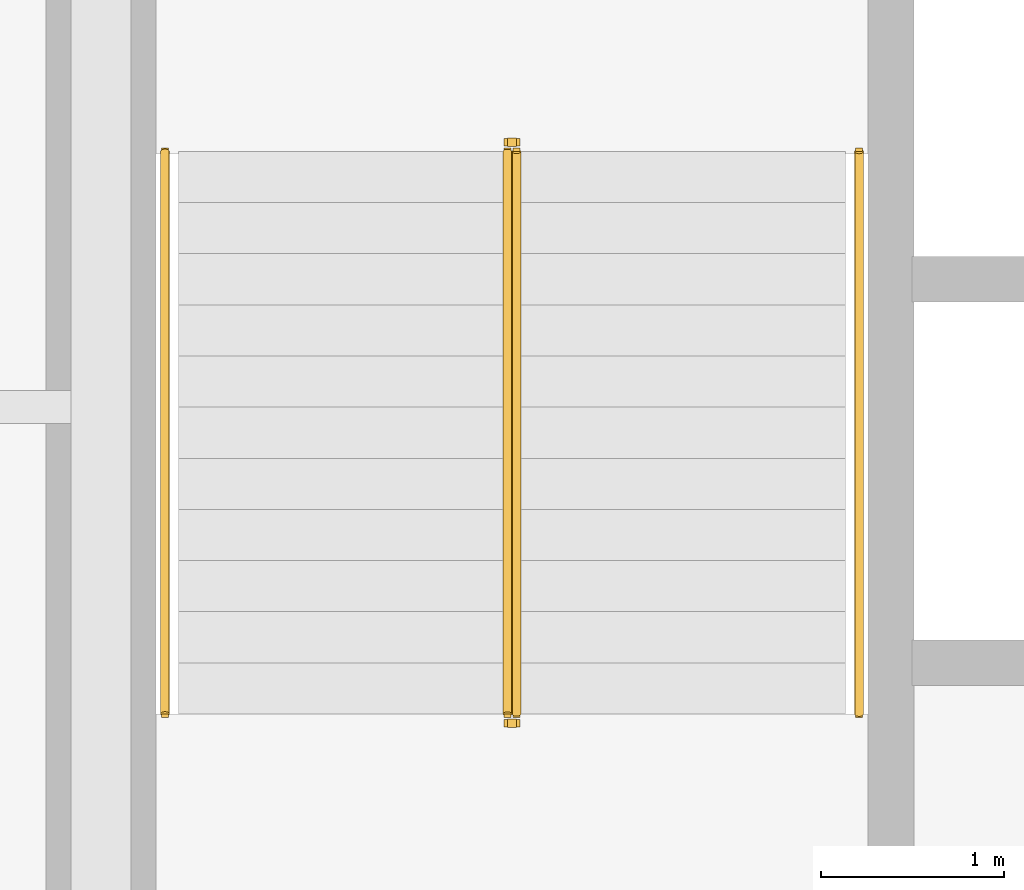
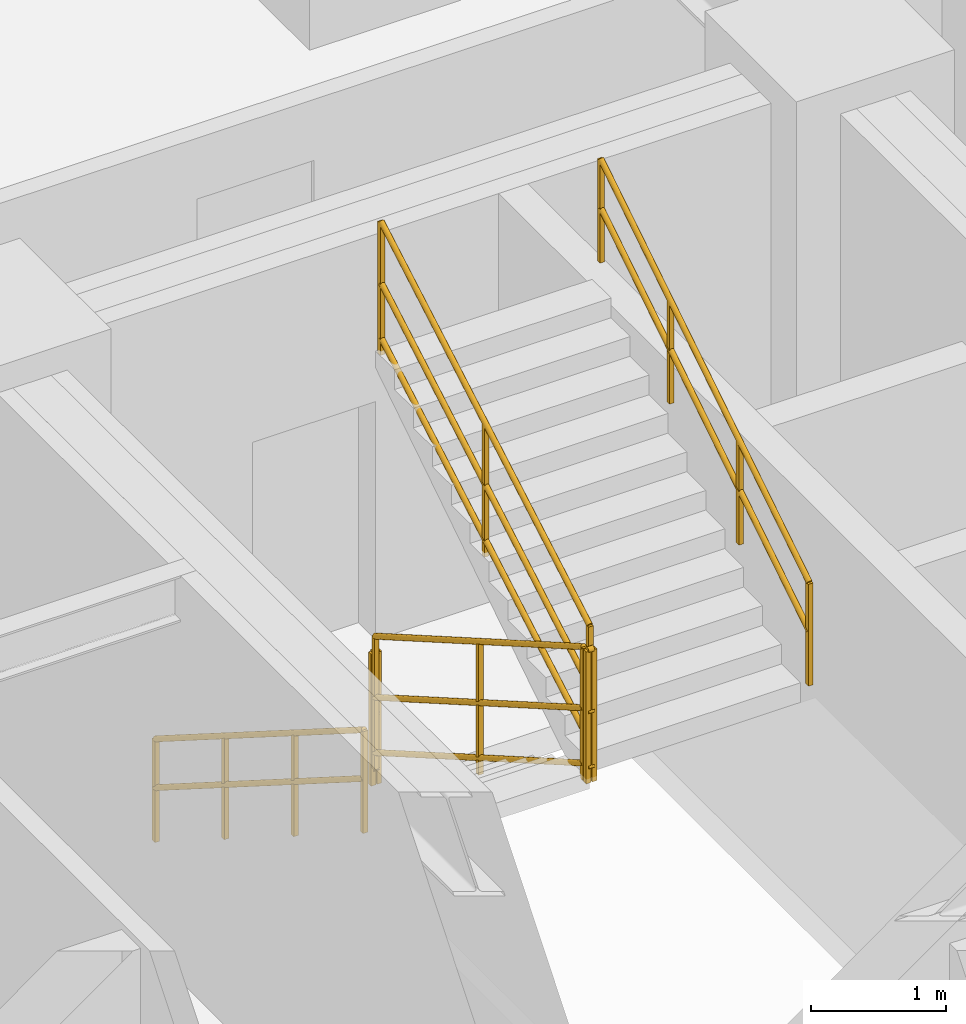
# One storey, part 9 of 9: 6 railings.
"""IFC4 building model written with IfcOpenShell, lengths in metres."""

from ifc_helpers import new_model, entity, si_unit, converted_unit, direction, frame, origin_with_axes, origin_2d_with_axis, place, context, subcontext, project, spatial, rectangle, circle, extrude, material, type_object, element, save


model = new_model("IFC4")

# Units and contexts
model_context = context("Model", 3, precision=1e-05, world=origin_with_axes(), true_north=direction((0.0, 1.0)))
body_context = subcontext(model_context, "Body", "Model", "MODEL_VIEW")
ifc_project = project(units=[si_unit("LENGTHUNIT", "METRE"), si_unit("AREAUNIT", "SQUARE_METRE"), si_unit("VOLUMEUNIT", "CUBIC_METRE"), converted_unit("PLANEANGLEUNIT", "DEGREE", entity("IfcPlaneAngleMeasure", 0.017453292519943295), si_unit("PLANEANGLEUNIT", "RADIAN"), dimensions=[0, 0, 0, 0, 0, 0, 0]), si_unit("MASSUNIT", "GRAM", prefix="KILO"), si_unit("THERMODYNAMICTEMPERATUREUNIT", "KELVIN")], contexts=[model_context])

# Site, building, storey
site_placement = place(None, origin_with_axes())
site = spatial("IfcSite", under=ifc_project, at=site_placement, CompositionType="ELEMENT")
building_placement = place(site_placement, origin_with_axes())
building = spatial("IfcBuilding", under=site, at=building_placement, Name="Varnlund Millrace Tower", CompositionType="ELEMENT")
storey_placement = place(building_placement, frame((0.0, 0.0, 32.7), z_axis=(0.0, 0.0, 1.0), x_axis=(1.0, 0.0, 0.0)))
storey = spatial("IfcBuildingStorey", under=building, at=storey_placement, Name="L07", CompositionType="ELEMENT", Elevation=32.7)

# Railings
ifc_material_1 = material(Name="Painted steel stair well balustrade guard", Category="steel")
railing_type_1 = type_object("IfcRailingType", Name="Type-StairGuard-1150", PredefinedType="GUARDRAIL", material=ifc_material_1)
railing_1_placement = place(storey_placement, frame((0.0, 0.0, -32.7), z_axis=(0.0, 0.0, 1.0), x_axis=(1.0, 0.0, 0.0)))
element("IfcRailing", 1, at=railing_1_placement, inside=storey, type_object=railing_type_1, Name="Type-StairGuard-1150", PredefinedType="GUARDRAIL", context=body_context, shape_type="SweptSolid", body=[
    extrude(circle(Radius=0.024, at=origin_2d_with_axis()), frame((13.625, 35.9, 34.027273), z_axis=(0.0, -0.866696, 0.498836), x_axis=(1.0, 0.0, 0.0)), (0.0, 0.0, 1.0), 3.553725),
    extrude(circle(Radius=0.024, at=origin_2d_with_axis()), frame((13.625, 35.9, 32.977273), z_axis=(0.0, -0.866696, 0.498836), x_axis=(1.0, 0.0, 0.0)), (0.0, 0.0, 1.0), 3.553725),
    extrude(circle(Radius=0.024, at=origin_2d_with_axis()), frame((13.625, 35.9, 33.475273), z_axis=(0.0, -0.866696, 0.498836), x_axis=(1.0, 0.0, 0.0)), (0.0, 0.0, 1.0), 3.553725),
    extrude(rectangle(XDim=0.04, YDim=0.04, at=origin_2d_with_axis()), frame((13.625, 35.9, 32.837273), z_axis=(0.0, 0.0, 1.0), x_axis=(1.0, 0.0, 0.0)), (0.0, 0.0, 1.0), 1.19),
    extrude(rectangle(XDim=0.04, YDim=0.04, at=origin_2d_with_axis()), frame((13.625, 34.36, 33.723637), z_axis=(0.0, 0.0, 1.0), x_axis=(1.0, 0.0, 0.0)), (0.0, 0.0, 1.0), 1.19),
    extrude(rectangle(XDim=0.04, YDim=0.04, at=origin_2d_with_axis()), frame((13.625, 32.82, 34.61), z_axis=(0.0, 0.0, 1.0), x_axis=(1.0, 0.0, 0.0)), (0.0, 0.0, 1.0), 1.19),
])
railing_2_placement = place(storey_placement, frame((0.0, 0.0, -32.7), z_axis=(0.0, 0.0, 1.0), x_axis=(1.0, 0.0, 0.0)))
element("IfcRailing", 2, at=railing_2_placement, inside=storey, type_object=railing_type_1, Name="Type-StairGuard-1150", PredefinedType="GUARDRAIL", context=body_context, shape_type="SweptSolid", body=[
    extrude(circle(Radius=0.024, at=origin_2d_with_axis()), frame((13.675, 32.77, 35.8), z_axis=(-1.0, 0.0, 0.0), x_axis=(0.0, -1.0, 0.0)), (0.0, 0.0, 1.0), 0.05),
    extrude(circle(Radius=0.024, at=origin_2d_with_axis()), frame((13.675, 32.77, 34.75), z_axis=(-1.0, 0.0, 0.0), x_axis=(0.0, -1.0, 0.0)), (0.0, 0.0, 1.0), 0.05),
    extrude(circle(Radius=0.024, at=origin_2d_with_axis()), frame((13.675, 32.77, 35.248), z_axis=(-1.0, 0.0, 0.0), x_axis=(0.0, -1.0, 0.0)), (0.0, 0.0, 1.0), 0.05),
    extrude(rectangle(XDim=0.04, YDim=0.04, at=origin_2d_with_axis()), frame((13.675, 32.77, 34.61), z_axis=(0.0, 0.0, 1.0), x_axis=(1.0, 0.0, 0.0)), (0.0, 0.0, 1.0), 1.19),
    extrude(rectangle(XDim=0.04, YDim=0.04, at=origin_2d_with_axis()), frame((13.625, 32.77, 34.61), z_axis=(0.0, 0.0, 1.0), x_axis=(1.0, 0.0, 0.0)), (0.0, 0.0, 1.0), 1.19),
])
railing_3_placement = place(storey_placement, frame((0.0, 0.0, -32.7), z_axis=(0.0, 0.0, 1.0), x_axis=(1.0, 0.0, 0.0)))
element("IfcRailing", 3, at=railing_3_placement, inside=storey, type_object=railing_type_1, Name="Type-StairGuard-1150", PredefinedType="GUARDRAIL", context=body_context, shape_type="SweptSolid", body=[
    extrude(circle(Radius=0.024, at=origin_2d_with_axis()), frame((13.675, 32.82, 35.977273), z_axis=(0.0, 0.866696, 0.498836), x_axis=(-1.0, 0.0, 0.0)), (0.0, 0.0, 1.0), 3.553725),
    extrude(circle(Radius=0.024, at=origin_2d_with_axis()), frame((13.675, 32.82, 34.927273), z_axis=(0.0, 0.866696, 0.498836), x_axis=(-1.0, 0.0, 0.0)), (0.0, 0.0, 1.0), 3.553725),
    extrude(circle(Radius=0.024, at=origin_2d_with_axis()), frame((13.675, 32.82, 35.425273), z_axis=(0.0, 0.866696, 0.498836), x_axis=(-1.0, 0.0, 0.0)), (0.0, 0.0, 1.0), 3.553725),
    extrude(rectangle(XDim=0.04, YDim=0.04, at=origin_2d_with_axis()), frame((13.675, 32.82, 34.787273), z_axis=(0.0, 0.0, 1.0), x_axis=(1.0, 0.0, 0.0)), (0.0, 0.0, 1.0), 1.19),
    extrude(rectangle(XDim=0.04, YDim=0.04, at=origin_2d_with_axis()), frame((13.675, 34.36, 35.673636), z_axis=(0.0, 0.0, 1.0), x_axis=(1.0, 0.0, 0.0)), (0.0, 0.0, 1.0), 1.19),
    extrude(rectangle(XDim=0.04, YDim=0.04, at=origin_2d_with_axis()), frame((13.675, 35.9, 36.56), z_axis=(0.0, 0.0, 1.0), x_axis=(1.0, 0.0, 0.0)), (0.0, 0.0, 1.0), 1.19),
])
railing_4_placement = place(storey_placement, frame((0.0, 0.0, -32.7), z_axis=(0.0, 0.0, 1.0), x_axis=(1.0, 0.0, 0.0)))
element("IfcRailing", 4, at=railing_4_placement, inside=storey, type_object=railing_type_1, Name="Type-StairGuard-1150", PredefinedType="GUARDRAIL", context=body_context, shape_type="SweptSolid", body=[
    extrude(circle(Radius=0.024, at=origin_2d_with_axis()), frame((13.675, 35.95, 33.85), z_axis=(-1.0, 0.0, 0.0), x_axis=(0.0, -1.0, 0.0)), (0.0, 0.0, 1.0), 0.05),
    extrude(circle(Radius=0.024, at=origin_2d_with_axis()), frame((13.675, 35.95, 32.8), z_axis=(-1.0, 0.0, 0.0), x_axis=(0.0, -1.0, 0.0)), (0.0, 0.0, 1.0), 0.05),
    extrude(circle(Radius=0.024, at=origin_2d_with_axis()), frame((13.675, 35.95, 33.298), z_axis=(-1.0, 0.0, 0.0), x_axis=(0.0, -1.0, 0.0)), (0.0, 0.0, 1.0), 0.05),
    extrude(rectangle(XDim=0.04, YDim=0.04, at=origin_2d_with_axis()), frame((13.675, 35.95, 32.66), z_axis=(0.0, 0.0, 1.0), x_axis=(1.0, 0.0, 0.0)), (0.0, 0.0, 1.0), 1.19),
    extrude(rectangle(XDim=0.04, YDim=0.04, at=origin_2d_with_axis()), frame((13.625, 35.95, 32.66), z_axis=(0.0, 0.0, 1.0), x_axis=(1.0, 0.0, 0.0)), (0.0, 0.0, 1.0), 1.19),
])
ifc_material_2 = material(Name="Brushed architectural bronze stair handrail", Category="aluminium")
railing_type_2 = type_object("IfcRailingType", Name="Type-StairHandrail-900", PredefinedType="HANDRAIL", material=ifc_material_2)
railing_5_placement = place(storey_placement, frame((0.0, 0.0, -32.7), z_axis=(0.0, 0.0, 1.0), x_axis=(1.0, 0.0, 0.0)))
element("IfcRailing", 5, at=railing_5_placement, inside=storey, type_object=railing_type_2, Name="Type-StairHandrail-900", PredefinedType="HANDRAIL", context=body_context, shape_type="SweptSolid", body=[
    extrude(circle(Radius=0.024, at=origin_2d_with_axis()), frame((11.75, 35.9, 33.756995), z_axis=(0.0, -0.844902, 0.534922), x_axis=(1.0, 0.0, 0.0)), (0.0, 0.0, 1.0), 3.645394),
    extrude(circle(Radius=0.024, at=origin_2d_with_axis()), frame((11.75, 35.9, 33.317134), z_axis=(0.0, -0.844902, 0.534922), x_axis=(1.0, 0.0, 0.0)), (0.0, 0.0, 1.0), 3.645394),
    extrude(rectangle(XDim=0.04, YDim=0.04, at=origin_2d_with_axis()), frame((11.75, 35.9, 32.837273), z_axis=(0.0, 0.0, 1.0), x_axis=(1.0, 0.0, 0.0)), (0.0, 0.0, 1.0), 0.919722),
    extrude(rectangle(XDim=0.04, YDim=0.04, at=origin_2d_with_axis()), frame((11.75, 34.873333, 33.487273), z_axis=(0.0, 0.0, 1.0), x_axis=(1.0, 0.0, 0.0)), (0.0, 0.0, 1.0), 0.919722),
    extrude(rectangle(XDim=0.04, YDim=0.04, at=origin_2d_with_axis()), frame((11.75, 33.846667, 34.137273), z_axis=(0.0, 0.0, 1.0), x_axis=(1.0, 0.0, 0.0)), (0.0, 0.0, 1.0), 0.919722),
    extrude(rectangle(XDim=0.04, YDim=0.04, at=origin_2d_with_axis()), frame((11.75, 32.82, 34.787273), z_axis=(0.0, 0.0, 1.0), x_axis=(1.0, 0.0, 0.0)), (0.0, 0.0, 1.0), 0.919722),
])
railing_6_placement = place(storey_placement, frame((0.0, 0.0, -32.7), z_axis=(0.0, 0.0, 1.0), x_axis=(1.0, 0.0, 0.0)))
element("IfcRailing", 6, at=railing_6_placement, inside=storey, type_object=railing_type_2, Name="Type-StairHandrail-900", PredefinedType="HANDRAIL", context=body_context, shape_type="SweptSolid", body=[
    extrude(circle(Radius=0.024, at=origin_2d_with_axis()), frame((15.55, 32.82, 35.706995), z_axis=(0.0, 0.844902, 0.534922), x_axis=(-1.0, 0.0, 0.0)), (0.0, 0.0, 1.0), 3.645394),
    extrude(circle(Radius=0.024, at=origin_2d_with_axis()), frame((15.55, 32.82, 35.267134), z_axis=(0.0, 0.844902, 0.534922), x_axis=(-1.0, 0.0, 0.0)), (0.0, 0.0, 1.0), 3.645394),
    extrude(rectangle(XDim=0.04, YDim=0.04, at=origin_2d_with_axis()), frame((15.55, 32.82, 34.787273), z_axis=(0.0, 0.0, 1.0), x_axis=(1.0, 0.0, 0.0)), (0.0, 0.0, 1.0), 0.919722),
    extrude(rectangle(XDim=0.04, YDim=0.04, at=origin_2d_with_axis()), frame((15.55, 33.846667, 35.437273), z_axis=(0.0, 0.0, 1.0), x_axis=(1.0, 0.0, 0.0)), (0.0, 0.0, 1.0), 0.919722),
    extrude(rectangle(XDim=0.04, YDim=0.04, at=origin_2d_with_axis()), frame((15.55, 34.873333, 36.087273), z_axis=(0.0, 0.0, 1.0), x_axis=(1.0, 0.0, 0.0)), (0.0, 0.0, 1.0), 0.919722),
    extrude(rectangle(XDim=0.04, YDim=0.04, at=origin_2d_with_axis()), frame((15.55, 35.9, 36.737273), z_axis=(0.0, 0.0, 1.0), x_axis=(1.0, 0.0, 0.0)), (0.0, 0.0, 1.0), 0.919722),
])

save(model, "model.ifc")
